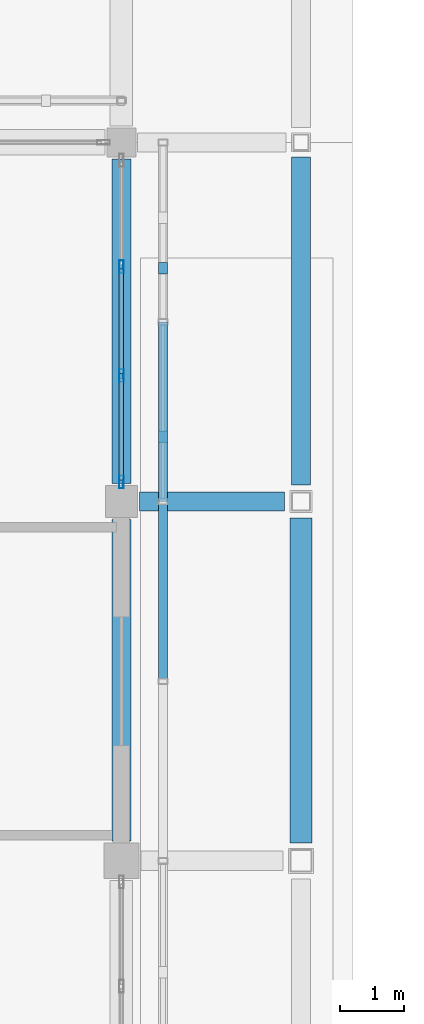
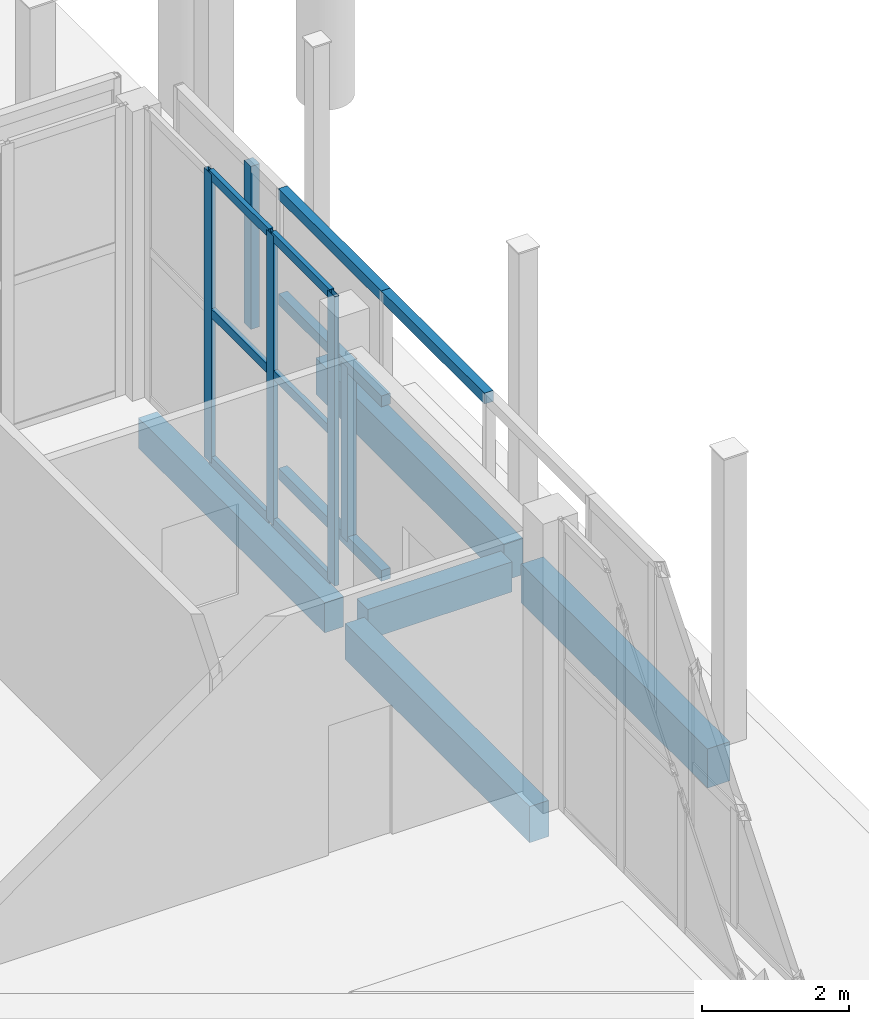
# One storey, part 47 of 91: 15 members, 5 beams, 1 element without a shape of its own.
"""IFC4 building model written with IfcOpenShell, lengths in metres."""

import ifcopenshell
import ifcopenshell.guid

model = None  # the IFC model being written
_history = None  # IfcOwnerHistory: only IFC2X3 demands one
_inside = {}  # id of a spatial element -> (the spatial element, [elements in it])
_under = {}  # id of a project, library or spatial element -> (it, [spatial elements below it])
_declared = {}  # id of a project -> (the project, [libraries it declares])
_typed = {}  # id of a type object -> (the type object, [elements of that type])
_made_of = {}  # id of a material, layer set ... -> (it, [elements and type objects made of it])


def new_model(schema):
    """Start an empty IFC model of exactly this schema.

    Asked for "IFC4X3", IfcOpenShell would pick the latest addendum, in which some entities
    have other attributes; the version numbers below select the first issue.
    IFC2X3 requires an IfcOwnerHistory on every rooted entity: one is made here for all.
    """
    global model, _history
    if schema == "IFC4X3":
        model = ifcopenshell.file(schema_version=(4, 3, 0, 0))
    else:
        model = ifcopenshell.file(schema=schema)
    _inside.clear()
    _under.clear()
    _declared.clear()
    _typed.clear()
    _made_of.clear()
    _history = None
    if model.schema == "IFC2X3":
        org = make("IfcOrganization", Name="unknown")
        user = make(
            "IfcPersonAndOrganization",
            ThePerson=make("IfcPerson", FamilyName="unknown"),
            TheOrganization=org,
        )
        app = make(
            "IfcApplication",
            ApplicationDeveloper=org,
            Version="unknown",
            ApplicationFullName="unknown",
            ApplicationIdentifier="unknown",
        )
        _history = make(
            "IfcOwnerHistory",
            OwningUser=user,
            OwningApplication=app,
            ChangeAction="ADDED",
            CreationDate=0,
        )
    return model


def make(cls, **values):
    """One entity of the class cls with the attributes given. An attribute that is None is left unset."""
    return model.create_entity(
        cls, **{name: value for name, value in values.items() if value is not None}
    )


def rooted(cls, **values):
    """An entity with a GlobalId (a new one), such as an element, a storey or a relation."""
    return make(cls, GlobalId=ifcopenshell.guid.new(), OwnerHistory=_history, **values)


def si_unit(unit_type, name, prefix=None):
    """IfcSIUnit, for example si_unit("LENGTHUNIT", "METRE", prefix="MILLI")."""
    return make("IfcSIUnit", UnitType=unit_type, Prefix=prefix, Name=name)


def assignment(units):
    """IfcUnitAssignment: the units of a project."""
    return None if units is None else make("IfcUnitAssignment", Units=units)


def point(xyz):
    """IfcCartesianPoint."""
    return None if xyz is None else make("IfcCartesianPoint", Coordinates=xyz)


def direction(xyz):
    """IfcDirection."""
    return None if xyz is None else make("IfcDirection", DirectionRatios=xyz)


def frame(location, z_axis=None, x_axis=None):
    """IfcAxis2Placement3D, a coordinate frame: its origin and axes. An axis left out is left unset."""
    return make(
        "IfcAxis2Placement3D",
        Location=point(location),
        Axis=direction(z_axis),
        RefDirection=direction(x_axis),
    )


def frame_2d(location, x_axis=None):
    """IfcAxis2Placement2D, a coordinate frame in the plane: its origin and x axis."""
    return make(
        "IfcAxis2Placement2D", Location=point(location), RefDirection=direction(x_axis)
    )


def origin():
    """The frame at (0, 0, 0) with its axes left unset."""
    return frame((0.0, 0.0, 0.0))


def origin_2d():
    """The frame at (0, 0) in the plane with its x axis left unset."""
    return frame_2d((0.0, 0.0))


def place(relative_to, where):
    """IfcLocalPlacement: puts the frame where relative to a parent placement (None: the world)."""
    return make(
        "IfcLocalPlacement", PlacementRelTo=relative_to, RelativePlacement=where
    )


def context(
    kind, dimensions, precision=None, world=None, true_north=None, identifier=None
):
    """IfcGeometricRepresentationContext, for example the 3D "Model" context."""
    return make(
        "IfcGeometricRepresentationContext",
        ContextIdentifier=identifier,
        ContextType=kind,
        CoordinateSpaceDimension=dimensions,
        Precision=precision,
        WorldCoordinateSystem=world,
        TrueNorth=true_north,
    )


def subcontext(parent, identifier, kind, view, scale=None):
    """IfcGeometricRepresentationSubContext, for example "Body" below "Model"."""
    return make(
        "IfcGeometricRepresentationSubContext",
        ContextIdentifier=identifier,
        ContextType=kind,
        ParentContext=parent,
        TargetScale=scale,
        TargetView=view,
    )


def project(units=None, contexts=None):
    """IfcProject with its units and contexts."""
    return rooted(
        "IfcProject",
        Name="project",
        RepresentationContexts=contexts,
        UnitsInContext=assignment(units),
    )


def spatial(cls, under=None, at=None, **own):
    """A site, building, storey or space (cls), placed at a placement, below another one or the project."""
    s = rooted(cls, ObjectPlacement=at, **own)
    if under is not None:
        _under.setdefault(under.id(), (under, []))[1].append(s)
    return s


def profile(cls, at=None, kind="AREA", **sizes):
    """A parametric profile (cls). Its sizes go by their IFC names, for example OverallWidth=200.0."""
    return make(cls, ProfileType=kind, Position=at, **sizes)


def rectangle(**sizes):
    """IfcRectangleProfileDef."""
    return profile("IfcRectangleProfileDef", **sizes)


def hollow_rectangle(**sizes):
    """IfcRectangleHollowProfileDef."""
    return profile("IfcRectangleHollowProfileDef", **sizes)


def extrude(swept, where, along, depth):
    """IfcExtrudedAreaSolid: the profile swept, set in the frame where, extruded along a direction by depth."""
    return make(
        "IfcExtrudedAreaSolid",
        SweptArea=swept,
        Position=where,
        ExtrudedDirection=direction(along),
        Depth=depth,
    )


def shape(context_of_items, identifier, shape_type, items):
    """IfcShapeRepresentation: the items that make up one representation, for example the "Body"."""
    return make(
        "IfcShapeRepresentation",
        ContextOfItems=context_of_items,
        RepresentationIdentifier=identifier,
        RepresentationType=shape_type,
        Items=items,
    )


def material(Name=None, Category=None):
    """IfcMaterial."""
    return make("IfcMaterial", Name=Name, Category=Category)


def layer(
    of_material, thickness, ventilated=None, Name=None, Category=None, Priority=None
):
    """IfcMaterialLayer: one layer of a wall or slab, of a material (None: an air gap)."""
    return make(
        "IfcMaterialLayer",
        Material=of_material,
        LayerThickness=thickness,
        IsVentilated=ventilated,
        Name=Name,
        Category=Category,
        Priority=Priority,
    )


def layer_set(layers, Name=None):
    """IfcMaterialLayerSet."""
    return make("IfcMaterialLayerSet", MaterialLayers=layers, LayerSetName=Name)


def material_profile(
    of_material, cross_section, Name=None, Category=None, Priority=None
):
    """IfcMaterialProfile: a cross section and its material."""
    return make(
        "IfcMaterialProfile",
        Name=Name,
        Material=of_material,
        Profile=cross_section,
        Priority=Priority,
        Category=Category,
    )


def profile_set(profiles, Name=None, composite=None):
    """IfcMaterialProfileSet."""
    return make(
        "IfcMaterialProfileSet",
        Name=Name,
        MaterialProfiles=profiles,
        CompositeProfile=composite,
    )


def made_of(thing, what):
    """Note that an element or type object is made of a material, layer set ...; save() writes the relation."""
    if what is not None:
        _made_of.setdefault(what.id(), (what, []))[1].append(thing)
    return thing


def type_object(cls, material=None, **own):
    """A type object (cls), such as IfcWallType, which elements share."""
    return made_of(rooted(cls, **own), material)


def element(
    cls,
    number,
    at=None,
    inside=None,
    cuts=None,
    type_object=None,
    material=None,
    context=None,
    identifier="Body",
    shape_type=None,
    held_by="IfcProductDefinitionShape",
    body=None,
    shapes=None,
    **own,
):
    """One element of the class cls, such as IfcWall. Its Tag is "e" and its number.

    at: its placement. inside: the storey or other place that contains it. cuts: it is an
    opening in that element (IfcRelVoidsElement). A single representation is given by context,
    identifier, shape_type and body (its items); several are given by shapes. held_by: the class
    of the entity that holds the representations. save() writes the other relations.
    """
    e = rooted(cls, Tag="e%d" % number, ObjectPlacement=at, **own)
    if body is not None:
        shapes = [shape(context, identifier, shape_type, body)]
    if shapes is not None:
        e.Representation = make(held_by, Representations=shapes)
    if inside is not None:
        _inside.setdefault(inside.id(), (inside, []))[1].append(e)
    if cuts is not None:
        rooted(
            "IfcRelVoidsElement", RelatingBuildingElement=cuts, RelatedOpeningElement=e
        )
    if type_object is not None:
        _typed.setdefault(type_object.id(), (type_object, []))[1].append(e)
    return made_of(e, material)


def aggregate(whole, parts):
    """IfcRelAggregates: a whole, such as a stair, and the parts it consists of."""
    return rooted("IfcRelAggregates", RelatingObject=whole, RelatedObjects=parts)


def save(model, path):
    """Write the relations noted so far, then the file.

    IfcRelAggregates (storeys below a building ...), IfcRelContainedInSpatialStructure (elements
    in a storey), IfcRelDefinesByType, IfcRelAssociatesMaterial and IfcRelDeclares: one each for
    every whole, place, type object, material and project.
    """
    for whole, parts in _under.values():
        aggregate(whole, parts)
    for where, things in _inside.values():
        rooted(
            "IfcRelContainedInSpatialStructure",
            RelatedElements=things,
            RelatingStructure=where,
        )
    for kind, things in _typed.values():
        rooted("IfcRelDefinesByType", RelatedObjects=things, RelatingType=kind)
    for what, things in _made_of.values():
        rooted("IfcRelAssociatesMaterial", RelatedObjects=things, RelatingMaterial=what)
    for by, libraries in _declared.values():
        rooted("IfcRelDeclares", RelatingContext=by, RelatedDefinitions=libraries)
    model.write(path)


model = new_model("IFC4")

# Units and contexts
model_context = context("Model", 3, precision=1e-05, world=origin(), true_north=direction((0.0, 1.0)))
body_context = subcontext(model_context, "Body", "Model", "MODEL_VIEW")
ifc_project = project(units=[si_unit("LENGTHUNIT", "METRE"), si_unit("AREAUNIT", "SQUARE_METRE"), si_unit("VOLUMEUNIT", "CUBIC_METRE"), si_unit("PLANEANGLEUNIT", "RADIAN"), si_unit("MASSUNIT", "GRAM", prefix="KILO")], contexts=[model_context])

# Site, building, storey
site_placement = place(None, origin())
site = spatial("IfcSite", under=ifc_project, at=site_placement, CompositionType="ELEMENT")
building_placement = place(site_placement, origin())
building = spatial("IfcBuilding", under=site, at=building_placement, Name="Vinh Khe Railworks Police Headquarters", CompositionType="ELEMENT")
storey_placement = place(building_placement, origin())
storey = spatial("IfcBuildingStorey", under=building, at=storey_placement, Name="L00", CompositionType="ELEMENT", Elevation=0.0)

# Members
ifc_material_1 = material(Name="Salvaged ironwood timber", Category="wood")
ifc_material_profile_1 = material_profile(ifc_material_1, rectangle(XDim=0.139892578125, YDim=0.179931640625, at=origin_2d()), Name="TIMBER 140x180")
ifc_profile_set_1 = profile_set([ifc_material_profile_1], Name="Salvaged ironwood timber")
member_type_1 = type_object("IfcMemberType", Name="MEM-QUILT-STILE", PredefinedType="CHORD", material=ifc_profile_set_1)
for number, where, z_axis, x_axis, name in (
    (1, (60.64990234375, 50.39990234375, 4.719970703125), (0.0, 1.0, 0.0), (-1.0, 0.0, 0.0), "Salvaged Timber Quilt Transom E-L00-09-TOP"),
    (2, (60.64990234375, 53.199951171875, 4.719970703125), (0.0, 1.0, 0.0), (-1.0, 0.0, 0.0), "Salvaged Timber Quilt Transom E-L00-10-TOP"),
    (3, (60.64990234375, 53.199951171875, 0.080078125), (0.0, 1.0, 0.0), (-1.0, 0.0, 0.0), "Salvaged Timber Quilt Transom E-L00-10-BOT"),
    (4, (60.64990234375, 53.199951171875, 2.97607421875), (0.0, 1.0, 0.0), (-1.0, 0.0, 0.0), "Salvaged Timber Quilt Transom E-L00-10-M1"),
):
    element("IfcMember", number, at=place(storey_placement, frame(where, z_axis=z_axis, x_axis=x_axis)), inside=storey, type_object=member_type_1, Name=name, PredefinedType="CHORD", context=body_context, shape_type="SweptSolid", body=[
        extrude(rectangle(XDim=0.139892578125, YDim=0.179931640625, at=origin_2d()), origin(), (0.0, 0.0, 1.0), 2.800048828125),
    ])
member_1_placement = place(storey_placement, frame((60.64990234375, 54.2080078125, 0.080078125), z_axis=(0.0, 0.0, 1.0), x_axis=(1.0, 0.0, 0.0)))
element("IfcMember", 5, at=member_1_placement, inside=storey, type_object=member_type_1, Name="Salvaged Timber Quilt Stile E-L00-10-V1", PredefinedType="POST", context=body_context, shape_type="SweptSolid", body=[
    extrude(rectangle(XDim=0.139892578125, YDim=0.179931640625, at=origin_2d()), origin(), (0.0, 0.0, 1.0), 2.89599609375),
])
member_2_placement = place(storey_placement, frame((60.64990234375, 56.840087890625, 2.01611328125), z_axis=(0.0, 0.0, 1.0), x_axis=(1.0, 0.0, 0.0)))
element("IfcMember", 6, at=member_2_placement, inside=storey, type_object=member_type_1, Name="Salvaged Timber Quilt Stile E-L00-11-V2", PredefinedType="POST", context=body_context, shape_type="SweptSolid", body=[
    extrude(rectangle(XDim=0.139892578125, YDim=0.179931640625, at=origin_2d()), origin(), (0.0, 0.0, 1.0), 2.703857421875),
])

# Curtain wall, members
ifc_material_2 = material(Name="Anodised aluminium and low-iron glass", Category="aluminium")
ifc_layer = layer(ifc_material_2, 0.179931640625)
ifc_layer_set = layer_set([ifc_layer], Name="Anodised aluminium and low-iron glass")
curtain_wall_type = type_object("IfcCurtainWallType", Name="CW-CUBE-UNIT", PredefinedType="USERDEFINED", material=ifc_layer_set)
curtain_wall_placement = place(storey_placement, origin())
curtain_wall = element("IfcCurtainWall", 7, at=curtain_wall_placement, inside=storey, type_object=curtain_wall_type, Name="Entrance Hall Curtain Wall L00 E-6", ObjectType="UNITISED GLAZING", PredefinedType="USERDEFINED")
ifc_material_3 = material(Name="Anodised aluminium 6063-T6", Category="aluminium")
ifc_material_profile_2 = material_profile(ifc_material_3, hollow_rectangle(XDim=0.070068359375, YDim=0.199951171875, WallThickness=0.0048828125, at=origin_2d()), Name="CW-M 70x200x5")
ifc_profile_set_2 = profile_set([ifc_material_profile_2], Name="Anodised aluminium 6063-T6")
member_type_2 = type_object("IfcMemberType", Name="MULL-CWM-03", PredefinedType="MULLION", material=ifc_profile_set_2)
member_3_placement = place(storey_placement, frame((60.0, 53.5048828125, 0.0), z_axis=(0.0, 0.0, 1.0), x_axis=(-1.0, 0.0, 0.0)))
member_3 = element("IfcMember", 8, at=member_3_placement, type_object=member_type_2, Name="CW-01 mullion 1", PredefinedType="MULLION", context=body_context, shape_type="SweptSolid", body=[
    extrude(hollow_rectangle(XDim=0.070068359375, YDim=0.199951171875, WallThickness=0.0048828125, at=origin_2d()), origin(), (0.0, 0.0, 1.0), 4.800048828125),
])
member_4_placement = place(storey_placement, frame((60.0, 55.1650390625, 0.0), z_axis=(0.0, 0.0, 1.0), x_axis=(-1.0, 0.0, 0.0)))
member_4 = element("IfcMember", 9, at=member_4_placement, type_object=member_type_2, Name="CW-01 mullion 2", PredefinedType="MULLION", context=body_context, shape_type="SweptSolid", body=[
    extrude(hollow_rectangle(XDim=0.070068359375, YDim=0.199951171875, WallThickness=0.0048828125, at=origin_2d()), origin(), (0.0, 0.0, 1.0), 4.800048828125),
])
member_5_placement = place(storey_placement, frame((60.0, 56.860107421875, 0.0), z_axis=(0.0, 0.0, 1.0), x_axis=(-1.0, 0.0, 0.0)))
member_5 = element("IfcMember", 10, at=member_5_placement, type_object=member_type_2, Name="CW-01 mullion 3", PredefinedType="MULLION", context=body_context, shape_type="SweptSolid", body=[
    extrude(hollow_rectangle(XDim=0.070068359375, YDim=0.199951171875, WallThickness=0.0048828125, at=origin_2d()), origin(), (0.0, 0.0, 1.0), 4.800048828125),
])

# Beams
ifc_material_4 = material(Name="Concrete C35/45 (B35)", Category="concrete")
ifc_material_profile_3 = material_profile(ifc_material_4, rectangle(XDim=0.300048828125, YDim=0.5, at=origin_2d()), Name="RC 300x500")
ifc_profile_set_3 = profile_set([ifc_material_profile_3], Name="Concrete C35/45 (B35)")
beam_type_1 = type_object("IfcBeamType", Name="RC Girder RC 300x500", PredefinedType="BEAM", material=ifc_profile_set_3)
beam_1_placement = place(storey_placement, frame((60.280029296875, 53.199951171875, -0.530029296875), z_axis=(1.0, 0.0, 0.0), x_axis=(0.0, 1.0, 0.0)))
element("IfcBeam", 11, at=beam_1_placement, inside=storey, type_object=beam_type_1, Name="Girder BM-L00-EW-RB-10-0072", PredefinedType="BEAM", context=body_context, shape_type="SweptSolid", body=[
    extrude(rectangle(XDim=0.300048828125, YDim=0.5, at=origin_2d()), origin(), (0.0, 0.0, 1.0), 2.264892578125),
])
beam_2_placement = place(storey_placement, frame((60.0, 53.47998046875, -0.530029296875), z_axis=(0.0, 1.0, 0.0), x_axis=(-1.0, 0.0, 0.0)))
element("IfcBeam", 12, at=beam_2_placement, inside=storey, type_object=beam_type_1, Name="Girder BM-L00-NS-RB-10-0327", PredefinedType="BEAM", context=body_context, shape_type="SweptSolid", body=[
    extrude(rectangle(XDim=0.300048828125, YDim=0.5, at=origin_2d()), origin(), (0.0, 0.0, 1.0), 5.06494140625),
])
ifc_material_profile_4 = material_profile(ifc_material_4, rectangle(XDim=0.300048828125, YDim=0.60009765625, at=origin_2d()), Name="RC 300x600")
ifc_profile_set_4 = profile_set([ifc_material_profile_4], Name="Concrete C35/45 (B35)")
beam_type_2 = type_object("IfcBeamType", Name="RC Girder RC 300x600", PredefinedType="BEAM", material=ifc_profile_set_4)
beam_3_placement = place(storey_placement, frame((60.0, 47.905029296875, -0.580078125), z_axis=(0.0, 1.0, 0.0), x_axis=(-1.0, 0.0, 0.0)))
element("IfcBeam", 13, at=beam_3_placement, inside=storey, type_object=beam_type_2, Name="Girder BM-L00-NS-RB-09-0326", PredefinedType="BEAM", context=body_context, shape_type="SweptSolid", body=[
    extrude(rectangle(XDim=0.300048828125, YDim=0.60009765625, at=origin_2d()), origin(), (0.0, 0.0, 1.0), 5.014892578125),
])
beam_4_placement = place(storey_placement, frame((62.800048828125, 53.455078125, -0.580078125), z_axis=(0.0, 1.0, 0.0), x_axis=(-1.0, 0.0, 0.0)))
element("IfcBeam", 14, at=beam_4_placement, inside=storey, type_object=beam_type_2, Name="Girder BM-L00-NS-RB-09-0341", PredefinedType="BEAM", context=body_context, shape_type="SweptSolid", body=[
    extrude(rectangle(XDim=0.300048828125, YDim=0.60009765625, at=origin_2d()), origin(), (0.0, 0.0, 1.0), 5.114990234375),
])
ifc_material_profile_5 = material_profile(ifc_material_4, rectangle(XDim=0.35009765625, YDim=0.64990234375, at=origin_2d()), Name="RC 350x650")
ifc_profile_set_5 = profile_set([ifc_material_profile_5], Name="Concrete C35/45 (B35)")
beam_type_3 = type_object("IfcBeamType", Name="RC Girder RC 350x650", PredefinedType="BEAM", material=ifc_profile_set_5)
beam_5_placement = place(storey_placement, frame((62.800048828125, 47.8798828125, -0.60498046875), z_axis=(0.0, 1.0, 0.0), x_axis=(-1.0, 0.0, 0.0)))
element("IfcBeam", 15, at=beam_5_placement, inside=storey, type_object=beam_type_3, Name="Girder BM-L00-NS-RB-08-0340", PredefinedType="BEAM", context=body_context, shape_type="SweptSolid", body=[
    extrude(rectangle(XDim=0.35009765625, YDim=0.64990234375, at=origin_2d()), origin(), (0.0, 0.0, 1.0), 5.065185546875),
])

# Member
ifc_material_profile_6 = material_profile(ifc_material_3, hollow_rectangle(XDim=0.070068359375, YDim=0.14990234375, WallThickness=0.0048828125, at=origin_2d()), Name="CW-T 70x150x5")
ifc_profile_set_6 = profile_set([ifc_material_profile_6], Name="Anodised aluminium 6063-T6")
member_type_3 = type_object("IfcMemberType", Name="TRAN-CWT-03", PredefinedType="USERDEFINED", material=ifc_profile_set_6)
member_6_placement = place(storey_placement, frame((60.0, 53.5400390625, 0.034912109375), z_axis=(0.0, 1.0, 0.0), x_axis=(-1.0, 0.0, 0.0)))
member_6 = element("IfcMember", 16, at=member_6_placement, type_object=member_type_3, Name="CW-01 transom 1.1", ObjectType="TRANSOM", PredefinedType="USERDEFINED", context=body_context, shape_type="SweptSolid", body=[
    extrude(hollow_rectangle(XDim=0.070068359375, YDim=0.14990234375, WallThickness=0.0048828125, at=origin_2d()), origin(), (0.0, 0.0, 1.0), 1.58984375),
])

member_7_placement = place(storey_placement, frame((60.0, 53.5400390625, 2.49609375), z_axis=(0.0, 1.0, 0.0), x_axis=(-1.0, 0.0, 0.0)))
member_7 = element("IfcMember", 17, at=member_7_placement, type_object=member_type_3, Name="CW-01 transom 1.2", ObjectType="TRANSOM", PredefinedType="USERDEFINED", context=body_context, shape_type="SweptSolid", body=[
    extrude(hollow_rectangle(XDim=0.070068359375, YDim=0.14990234375, WallThickness=0.0048828125, at=origin_2d()), origin(), (0.0, 0.0, 1.0), 1.58984375),
])

member_8_placement = place(storey_placement, frame((60.0, 53.5400390625, 4.764892578125), z_axis=(0.0, 1.0, 0.0), x_axis=(-1.0, 0.0, 0.0)))
member_8 = element("IfcMember", 18, at=member_8_placement, type_object=member_type_3, Name="CW-01 transom 1.3", ObjectType="TRANSOM", PredefinedType="USERDEFINED", context=body_context, shape_type="SweptSolid", body=[
    extrude(hollow_rectangle(XDim=0.070068359375, YDim=0.14990234375, WallThickness=0.0048828125, at=origin_2d()), origin(), (0.0, 0.0, 1.0), 1.58984375),
])

member_9_placement = place(storey_placement, frame((60.0, 55.199951171875, 0.034912109375), z_axis=(0.0, 1.0, 0.0), x_axis=(-1.0, 0.0, 0.0)))
member_9 = element("IfcMember", 19, at=member_9_placement, type_object=member_type_3, Name="CW-01 transom 2.1", ObjectType="TRANSOM", PredefinedType="USERDEFINED", context=body_context, shape_type="SweptSolid", body=[
    extrude(hollow_rectangle(XDim=0.070068359375, YDim=0.14990234375, WallThickness=0.0048828125, at=origin_2d()), origin(), (0.0, 0.0, 1.0), 1.625),
])

member_10_placement = place(storey_placement, frame((60.0, 55.199951171875, 2.49609375), z_axis=(0.0, 1.0, 0.0), x_axis=(-1.0, 0.0, 0.0)))
member_10 = element("IfcMember", 20, at=member_10_placement, type_object=member_type_3, Name="CW-01 transom 2.2", ObjectType="TRANSOM", PredefinedType="USERDEFINED", context=body_context, shape_type="SweptSolid", body=[
    extrude(hollow_rectangle(XDim=0.070068359375, YDim=0.14990234375, WallThickness=0.0048828125, at=origin_2d()), origin(), (0.0, 0.0, 1.0), 1.625),
])

member_11_placement = place(storey_placement, frame((60.0, 55.199951171875, 4.764892578125), z_axis=(0.0, 1.0, 0.0), x_axis=(-1.0, 0.0, 0.0)))
member_11 = element("IfcMember", 21, at=member_11_placement, type_object=member_type_3, Name="CW-01 transom 2.3", ObjectType="TRANSOM", PredefinedType="USERDEFINED", context=body_context, shape_type="SweptSolid", body=[
    extrude(hollow_rectangle(XDim=0.070068359375, YDim=0.14990234375, WallThickness=0.0048828125, at=origin_2d()), origin(), (0.0, 0.0, 1.0), 1.625),
])

aggregate(curtain_wall, [member_3, member_4, member_5, member_6, member_7, member_8, member_9, member_10, member_11])

save(model, "model.ifc")
